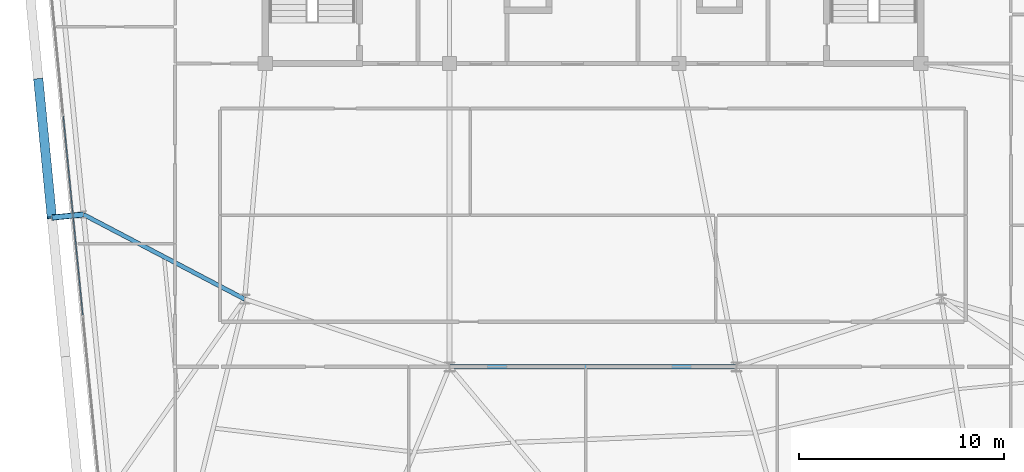
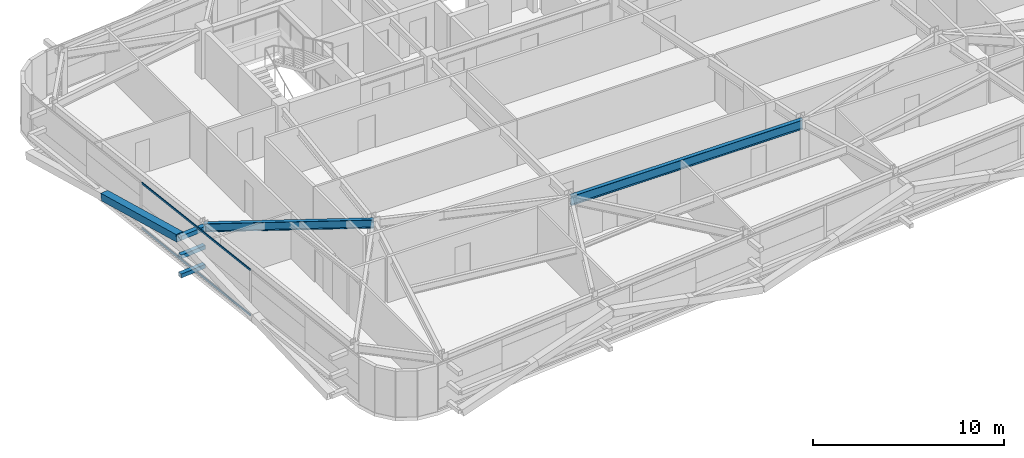
# One storey, part 12 of 47: 6 members, 2 beams, 1 element without a shape of its own.
"""IFC4 building model written with IfcOpenShell, lengths in metres."""

from ifc_helpers import new_model, si_unit, direction, frame, origin, origin_2d, place, context, subcontext, project, spatial, hollow_rectangle, i_section, extrude, source, transform, mapped, material, layer, layer_set, material_profile, profile_set, type_object, element, aggregate, save


model = new_model("IFC4")

# Units and contexts
model_context = context("Model", 3, precision=1e-05, world=origin(), true_north=direction((0.0, 1.0)))
body_context = subcontext(model_context, "Body", "Model", "MODEL_VIEW")
ifc_project = project(units=[si_unit("LENGTHUNIT", "METRE"), si_unit("AREAUNIT", "SQUARE_METRE"), si_unit("VOLUMEUNIT", "CUBIC_METRE"), si_unit("PLANEANGLEUNIT", "RADIAN"), si_unit("MASSUNIT", "GRAM", prefix="KILO")], contexts=[model_context])

# Site, building, storey
site_placement = place(None, origin())
site = spatial("IfcSite", under=ifc_project, at=site_placement, CompositionType="ELEMENT")
building_placement = place(site_placement, origin())
building = spatial("IfcBuilding", under=site, at=building_placement, Name="Taldren Reach Tower", CompositionType="ELEMENT")
storey_placement = place(building_placement, frame((0.0, 0.0, 87.14990234375)))
storey = spatial("IfcBuildingStorey", under=building, at=storey_placement, Name="L26", CompositionType="ELEMENT", Elevation=87.14990234375)

# Beams
ifc_material_1 = material(Name="Steel Gr 350 (350PLUS)", Category="steel")
ifc_material_profile_1 = material_profile(ifc_material_1, i_section(OverallWidth=0.22802734375, OverallDepth=0.60205078125, WebThickness=0.010498046875, FlangeThickness=0.014892578125, at=origin_2d()), Name="610UB101")
ifc_profile_set_1 = profile_set([ifc_material_profile_1], Name="Steel Gr 350 (350PLUS)")
beam_type_1 = type_object("IfcBeamType", Name="BM-UB610B", PredefinedType="BEAM", material=ifc_profile_set_1)
shared_shape_1 = source(origin(), body_context, "Body", "SweptSolid", [
    extrude(i_section(OverallWidth=0.22802734375, OverallDepth=0.60205078125, WebThickness=0.010498046875, FlangeThickness=0.014892578125, at=origin_2d()), origin(), (0.0, 0.0, 1.0), 14.0),
])
beam_1_placement = place(storey_placement, frame((28.0, 9.199951171875, 2.629150390625), z_axis=(1.0, 0.0, 0.0), x_axis=(0.0, 1.0, 0.0)))
element("IfcBeam", 1, at=beam_1_placement, inside=storey, type_object=beam_type_1, Name="Core-spine girder L26-SP11", PredefinedType="BEAM", context=body_context, shape_type="MappedRepresentation", body=[
    mapped(shared_shape_1, transform((0.0, 0.0, 0.0), scale=1.0)),
])
ifc_material_profile_2 = material_profile(ifc_material_1, i_section(OverallWidth=0.208984375, OverallDepth=0.532958984375, WebThickness=0.01025390625, FlangeThickness=0.015625, at=origin_2d()), Name="530UB92.4")
ifc_profile_set_2 = profile_set([ifc_material_profile_2], Name="Steel Gr 350 (350PLUS)")
beam_type_2 = type_object("IfcBeamType", Name="BM-UB530A", PredefinedType="BEAM", material=ifc_profile_set_2)
shared_shape_2 = source(origin(), body_context, "Body", "SweptSolid", [
    extrude(i_section(OverallWidth=0.208984375, OverallDepth=0.532958984375, WebThickness=0.01025390625, FlangeThickness=0.015625, at=origin_2d()), origin(), (0.0, 0.0, 1.0), 8.8876953125),
])
beam_2_placement = place(storey_placement, frame((18.0, 12.5, 2.66357421875), z_axis=(-0.885412881876, 0.464805366371, 0.0), x_axis=(-0.464805366371, -0.885412881876, 0.0)))
element("IfcBeam", 2, at=beam_2_placement, inside=storey, type_object=beam_type_2, Name="Primary floor girder B2-W2 L26", PredefinedType="BEAM", context=body_context, shape_type="MappedRepresentation", body=[
    mapped(shared_shape_2, transform((0.0, 0.0, 0.0), scale=1.0)),
])

# Members
ifc_material_2 = material(Name="Steel Gr 450 (C450L0)", Category="steel")
ifc_material_profile_3 = material_profile(ifc_material_2, hollow_rectangle(XDim=0.27490234375, YDim=0.27490234375, WallThickness=0.00927734375, at=origin_2d()), Name="275x275x9.3SHS")
ifc_profile_set_3 = profile_set([ifc_material_profile_3], Name="Steel Gr 450 (C450L0)")
member_type_1 = type_object("IfcMemberType", Name="MB-TIE273", PredefinedType="STRUT", material=ifc_profile_set_3)
shared_shape_3 = source(origin(), body_context, "Body", "SweptSolid", [
    extrude(hollow_rectangle(XDim=0.27490234375, YDim=0.27490234375, WallThickness=0.00927734375, at=origin_2d()), origin(), (0.0, 0.0, 1.0), 1.550048828125),
])
member_1_placement = place(storey_placement, frame((10.130615234375, 16.631103515625, 2.650146484375), z_axis=(-0.9952210252, -0.097647892962, 0.0), x_axis=(0.097647892962, -0.9952210252, 0.0)))
element("IfcMember", 3, at=member_1_placement, inside=storey, type_object=member_type_1, Name="Exoskeleton diaphragm tie strut B2-W2 L26", PredefinedType="STRUT", context=body_context, shape_type="MappedRepresentation", body=[
    mapped(shared_shape_3, transform((0.0, 0.0, 0.0), scale=1.0)),
])
ifc_material_3 = material(Name="Steel Gr 350 (C350L0)", Category="steel")
ifc_material_profile_4 = material_profile(ifc_material_3, hollow_rectangle(XDim=0.25, YDim=0.25, WallThickness=0.010009765625, at=origin_2d()), Name="250x250x10.0SHS")
ifc_profile_set_4 = profile_set([ifc_material_profile_4], Name="Steel Gr 350 (C350L0)")
member_type_2 = type_object("IfcMemberType", Name="MB-POST250", PredefinedType="POST", material=ifc_profile_set_4)
shared_shape_4 = source(origin(), body_context, "Body", "SweptSolid", [
    extrude(hollow_rectangle(XDim=0.25, YDim=0.25, WallThickness=0.010009765625, at=origin_2d()), origin(), (0.0, 0.0, 1.0), 1.550048828125),
])
for number, where, z_axis, x_axis, name in (
    (4, (10.130615234375, 16.631103515625, 0.22021484375), (-0.9952210252, -0.097647892962, 0.0), (0.097647892962, -0.9952210252, 0.0), "Exoskeleton base diaphragm tie strut B2-W2 L26"),
    (5, (10.130615234375, 16.631103515625, 1.43505859375), (-0.9952210252, -0.097647892962, 0.0), (0.097647892962, -0.9952210252, 0.0), "Exoskeleton mid-tier diaphragm tie B2-W2 L26"),
):
    element("IfcMember", number, at=place(storey_placement, frame(where, z_axis=z_axis, x_axis=x_axis)), inside=storey, type_object=member_type_2, Name=name, PredefinedType="POST", context=body_context, shape_type="MappedRepresentation", body=[
        mapped(shared_shape_4, transform((0.0, 0.0, 0.0), scale=1.0)),
    ])
ifc_material_profile_5 = material_profile(ifc_material_2, hollow_rectangle(XDim=0.4599609375, YDim=0.4599609375, WallThickness=0.01611328125, at=origin_2d()), Name="460x460x16.0SHS")
ifc_profile_set_5 = profile_set([ifc_material_profile_5], Name="Steel Gr 450 (C450L0)")
member_type_3 = type_object("IfcMemberType", Name="MB-EXO457", PredefinedType="BRACE", material=ifc_profile_set_5)
shared_shape_5 = source(origin(), body_context, "Body", "SweptSolid", [
    extrude(hollow_rectangle(XDim=0.4599609375, YDim=0.4599609375, WallThickness=0.01611328125, at=origin_2d()), origin(), (0.0, 0.0, 1.0), 6.883056640625),
])
member_2_placement = place(storey_placement, frame((7.9267578125, 23.222412109375, 1.43505859375), z_axis=(0.09605145821, -0.97959718347, 0.176531797456), x_axis=(0.995227290009, 0.097584021339, 0.0)))
element("IfcMember", 6, at=member_2_placement, inside=storey, type_object=member_type_3, Name="Exoskeleton Diagrid Brace B2-W2 L26", PredefinedType="BRACE", context=body_context, shape_type="MappedRepresentation", body=[
    mapped(shared_shape_5, transform((0.0, 0.0, 0.0), scale=1.0)),
])

# Curtain wall, members
ifc_material_4 = material(Name="Aluminium and Low-E Glass Unitised System", Category="aluminium")
ifc_layer = layer(ifc_material_4, 0.159912109375)
ifc_layer_set = layer_set([ifc_layer], Name="Aluminium and Low-E Glass Unitised System")
curtain_wall_type = type_object("IfcCurtainWallType", Name="CW-SYS-3", PredefinedType="NOTDEFINED", material=ifc_layer_set)
curtain_wall_placement = place(storey_placement, origin())
curtain_wall = element("IfcCurtainWall", 7, at=curtain_wall_placement, inside=storey, type_object=curtain_wall_type, Name="Unitised curtain wall CW-L26-W", PredefinedType="NOTDEFINED")
ifc_material_5 = material(Name="Anodised Aluminium 6063-T6", Category="aluminium")
ifc_material_profile_6 = material_profile(ifc_material_5, hollow_rectangle(XDim=0.054931640625, YDim=0.1201171875, WallThickness=0.0029296875, at=origin_2d()), Name="ALU-120x55x3RHS")
ifc_profile_set_6 = profile_set([ifc_material_profile_6], Name="Anodised Aluminium 6063-T6")
member_type_4 = type_object("IfcMemberType", Name="CW-TRN-135", PredefinedType="USERDEFINED", material=ifc_profile_set_6)
shared_shape_6 = source(origin(), body_context, "Body", "SweptSolid", [
    extrude(hollow_rectangle(XDim=0.054931640625, YDim=0.1201171875, WallThickness=0.0029296875, at=origin_2d()), origin(), (0.0, 0.0, 1.0), 9.768310546875),
])
member_3_placement = place(storey_placement, frame((9.146240234375, 21.442138671875, 0.027587890625), z_axis=(0.097598120756, -0.995225907432, 0.0), x_axis=(0.995225907432, 0.097598120756, 0.0)))
member_3 = element("IfcMember", 8, at=member_3_placement, type_object=member_type_4, Name="CW-3 transom 2.1", ObjectType="TRANSOM", PredefinedType="USERDEFINED", context=body_context, shape_type="MappedRepresentation", body=[
    mapped(shared_shape_6, transform((0.0, 0.0, 0.0), scale=1.0)),
])
member_4_placement = place(storey_placement, frame((9.146240234375, 21.442138671875, 2.902587890625), z_axis=(0.097598120756, -0.995225907432, 0.0), x_axis=(0.995225907432, 0.097598120756, 0.0)))
member_4 = element("IfcMember", 9, at=member_4_placement, type_object=member_type_4, Name="CW-3 transom 2.2", ObjectType="TRANSOM", PredefinedType="USERDEFINED", context=body_context, shape_type="MappedRepresentation", body=[
    mapped(shared_shape_6, transform((0.0, 0.0, 0.0), scale=1.0)),
])
aggregate(curtain_wall, [member_3, member_4])

save(model, "model.ifc")
